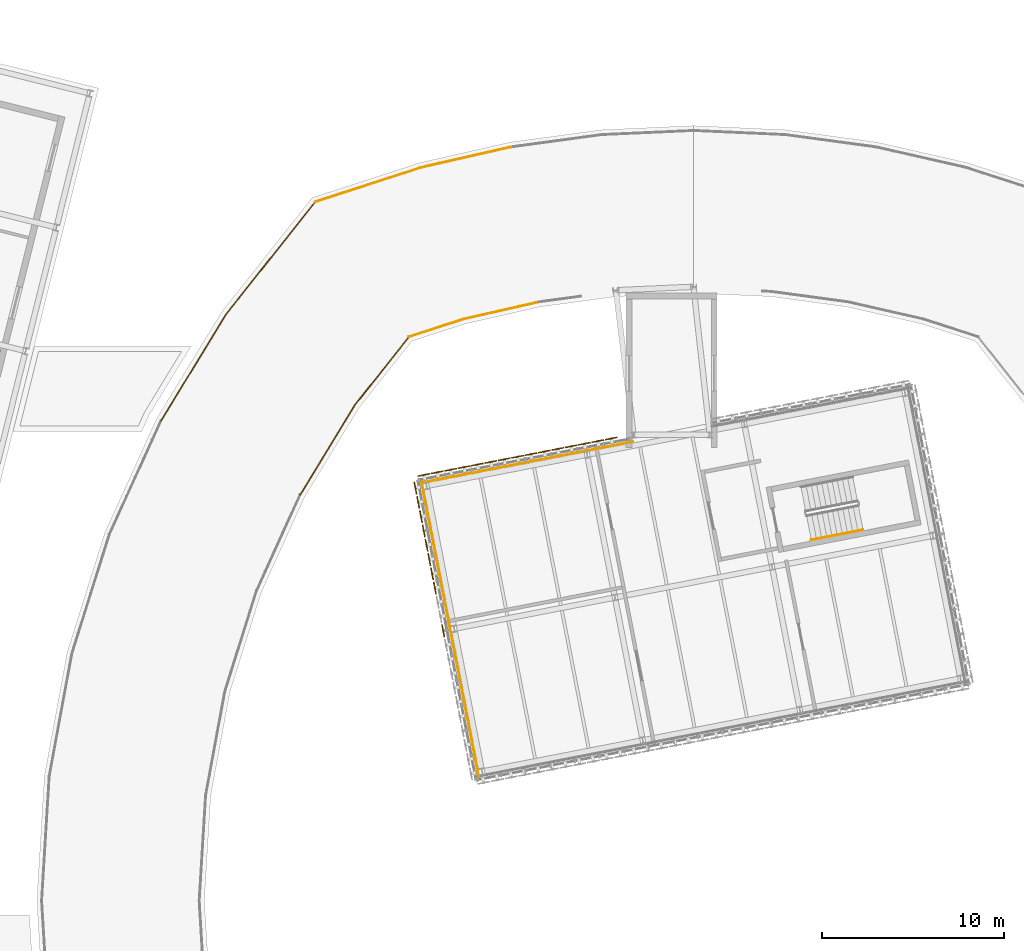
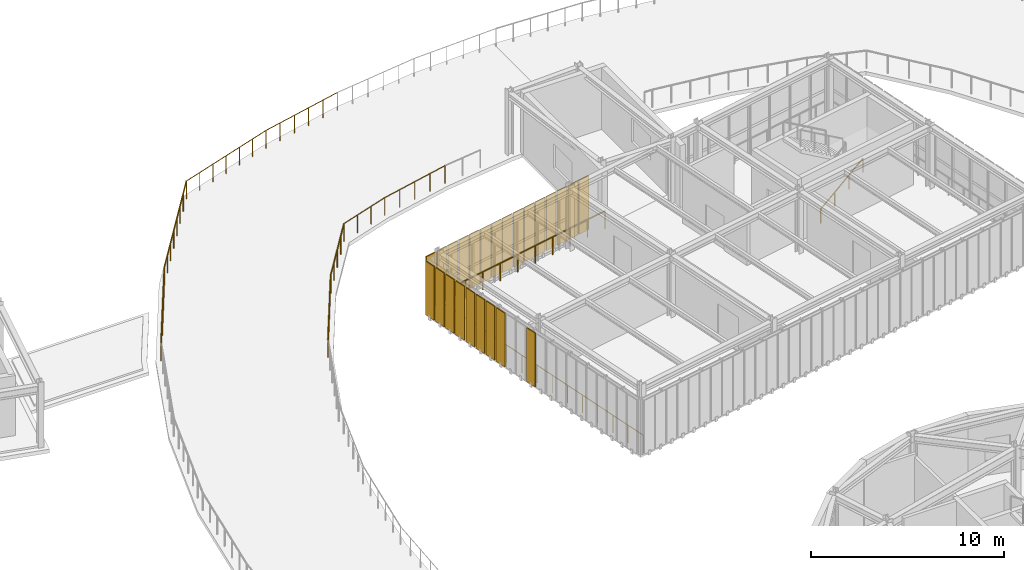
# One storey, part 55 of 59: 24 shading devices, 11 railings.
"""IFC4 building model written with IfcOpenShell, lengths in metres."""

from ifc_helpers import new_model, si_unit, direction, frame, origin, origin_2d, place, context, subcontext, project, spatial, rectangle, circle, extrude, material, layer, layer_set, type_object, element, save


model = new_model("IFC4")

# Units and contexts
model_context = context("Model", 3, precision=1e-05, world=origin(), true_north=direction((0.0, 1.0)))
body_context = subcontext(model_context, "Body", "Model", "MODEL_VIEW")
ifc_project = project(units=[si_unit("LENGTHUNIT", "METRE"), si_unit("AREAUNIT", "SQUARE_METRE"), si_unit("VOLUMEUNIT", "CUBIC_METRE"), si_unit("PLANEANGLEUNIT", "RADIAN"), si_unit("MASSUNIT", "GRAM", prefix="KILO")], contexts=[model_context])

# Site, building, storey
site_placement = place(None, origin())
site = spatial("IfcSite", under=ifc_project, at=site_placement, CompositionType="ELEMENT")
building_placement = place(site_placement, origin())
building = spatial("IfcBuilding", under=site, at=building_placement, Name="Varnklinge Art Gallery", CompositionType="ELEMENT")
storey_placement = place(building_placement, frame((0.0, 0.0, 9.52001953125)))
storey = spatial("IfcBuildingStorey", under=building, at=storey_placement, Name="L02", CompositionType="ELEMENT", Elevation=9.52001953125)

# Railings
ifc_material_1 = material(Name="Anodised Aluminium", Category="aluminium")
railing_type_1 = type_object("IfcRailingType", Name="BAL-01", PredefinedType="BALUSTRADE", material=ifc_material_1)
railing_1_placement = place(storey_placement, frame((72.154296875, 80.223388671875, 0.0)))
element("IfcRailing", 1, at=railing_1_placement, inside=storey, type_object=railing_type_1, Name="BAL-V4B-L02-3-2", PredefinedType="BALUSTRADE", context=body_context, shape_type="SweptSolid", body=[
    extrude(circle(Radius=0.02392578125, at=origin_2d()), frame((0.0, 0.0, 1.11572265625), z_axis=(-0.981629058229, -0.190799350211, 0.0), x_axis=(0.190799350211, -0.981629058229, 0.0)), (0.0, 0.0, 1.0), 11.989501953125),
    extrude(circle(Radius=0.02099609375, at=origin_2d()), origin(), (0.0, 0.0, 1.0), 1.091796875),
    extrude(circle(Radius=0.02099609375, at=origin_2d()), frame((-1.177001953125, -0.228759765625, 0.0)), (0.0, 0.0, 1.0), 1.091796875),
    extrude(circle(Radius=0.02099609375, at=origin_2d()), frame((-2.353759765625, -0.45751953125, 0.0)), (0.0, 0.0, 1.0), 1.091796875),
    extrude(circle(Radius=0.02099609375, at=origin_2d()), frame((-3.53076171875, -0.686279296875, 0.0)), (0.0, 0.0, 1.0), 1.091796875),
    extrude(circle(Radius=0.02099609375, at=origin_2d()), frame((-4.707763671875, -0.9150390625, 0.0)), (0.0, 0.0, 1.0), 1.091796875),
    extrude(circle(Radius=0.02099609375, at=origin_2d()), frame((-5.884765625, -1.143798828125, 0.0)), (0.0, 0.0, 1.0), 1.091796875),
    extrude(circle(Radius=0.02099609375, at=origin_2d()), frame((-7.0615234375, -1.37255859375, 0.0)), (0.0, 0.0, 1.0), 1.091796875),
    extrude(circle(Radius=0.02099609375, at=origin_2d()), frame((-8.238525390625, -1.601318359375, 0.0)), (0.0, 0.0, 1.0), 1.091796875),
    extrude(circle(Radius=0.02099609375, at=origin_2d()), frame((-9.41552734375, -1.830078125, 0.0)), (0.0, 0.0, 1.0), 1.091796875),
    extrude(circle(Radius=0.02099609375, at=origin_2d()), frame((-10.59228515625, -2.058837890625, 0.0)), (0.0, 0.0, 1.0), 1.091796875),
    extrude(circle(Radius=0.02099609375, at=origin_2d()), frame((-11.769287109375, -2.28759765625, 0.0)), (0.0, 0.0, 1.0), 1.091796875),
])
railing_2_placement = place(storey_placement, frame((60.52734375, 78.146728515625, 0.0)))
element("IfcRailing", 2, at=railing_2_placement, inside=storey, type_object=railing_type_1, Name="BAL-V4B-L02-4-1", PredefinedType="BALUSTRADE", context=body_context, shape_type="SweptSolid", body=[
    extrude(circle(Radius=0.02392578125, at=origin_2d()), frame((0.0, 0.0, 1.11572265625), z_axis=(0.19080897967, -0.981627186501, 0.0), x_axis=(0.981627186501, 0.19080897967, 0.0)), (0.0, 0.0, 1.0), 16.7998046875),
    extrude(circle(Radius=0.02099609375, at=origin_2d()), origin(), (0.0, 0.0, 1.0), 1.091796875),
    extrude(circle(Radius=0.02099609375, at=origin_2d()), frame((0.22900390625, -1.177978515625, 0.0)), (0.0, 0.0, 1.0), 1.091796875),
    extrude(circle(Radius=0.02099609375, at=origin_2d()), frame((0.4580078125, -2.35595703125, 0.0)), (0.0, 0.0, 1.0), 1.091796875),
    extrude(circle(Radius=0.02099609375, at=origin_2d()), frame((0.68701171875, -3.533935546875, 0.0)), (0.0, 0.0, 1.0), 1.091796875),
    extrude(circle(Radius=0.02099609375, at=origin_2d()), frame((0.915771484375, -4.711669921875, 0.0)), (0.0, 0.0, 1.0), 1.091796875),
    extrude(circle(Radius=0.02099609375, at=origin_2d()), frame((1.144775390625, -5.8896484375, 0.0)), (0.0, 0.0, 1.0), 1.091796875),
    extrude(circle(Radius=0.02099609375, at=origin_2d()), frame((1.373779296875, -7.067626953125, 0.0)), (0.0, 0.0, 1.0), 1.091796875),
    extrude(circle(Radius=0.02099609375, at=origin_2d()), frame((1.602783203125, -8.24560546875, 0.0)), (0.0, 0.0, 1.0), 1.091796875),
    extrude(circle(Radius=0.02099609375, at=origin_2d()), frame((1.831787109375, -9.423583984375, 0.0)), (0.0, 0.0, 1.0), 1.091796875),
    extrude(circle(Radius=0.02099609375, at=origin_2d()), frame((2.060791015625, -10.6015625, 0.0)), (0.0, 0.0, 1.0), 1.091796875),
    extrude(circle(Radius=0.02099609375, at=origin_2d()), frame((2.289794921875, -11.779541015625, 0.0)), (0.0, 0.0, 1.0), 1.091796875),
    extrude(circle(Radius=0.02099609375, at=origin_2d()), frame((2.5185546875, -12.957275390625, 0.0)), (0.0, 0.0, 1.0), 1.091796875),
    extrude(circle(Radius=0.02099609375, at=origin_2d()), frame((2.74755859375, -14.13525390625, 0.0)), (0.0, 0.0, 1.0), 1.091796875),
    extrude(circle(Radius=0.02099609375, at=origin_2d()), frame((2.9765625, -15.313232421875, 0.0)), (0.0, 0.0, 1.0), 1.091796875),
    extrude(circle(Radius=0.02099609375, at=origin_2d()), frame((3.20556640625, -16.4912109375, 0.0)), (0.0, 0.0, 1.0), 1.091796875),
])
ifc_material_2 = material(Name="Steel S355", Category="steel")
railing_type_2 = type_object("IfcRailingType", Name="GR-EXT", PredefinedType="GUARDRAIL", material=ifc_material_2)
railing_3_placement = place(storey_placement, frame((65.466796875, 96.427490234375, 0.0)))
element("IfcRailing", 3, at=railing_3_placement, inside=storey, type_object=railing_type_2, Name="L02 Roof Sculpture Garden Guardrail O19.1", PredefinedType="GUARDRAIL", context=body_context, shape_type="SweptSolid", body=[
    extrude(circle(Radius=0.02392578125, at=origin_2d()), frame((0.0, 0.0, 1.1259765625), z_axis=(-0.975052879575, -0.221972705601, 0.0), x_axis=(0.221972705601, -0.975052879575, 0.0)), (0.0, 0.0, 1.0), 5.041748046875),
    extrude(circle(Radius=0.02099609375, at=origin_2d()), origin(), (0.0, 0.0, 1.0), 1.101806640625),
    extrude(circle(Radius=0.02099609375, at=origin_2d()), frame((-0.983154296875, -0.223876953125, 0.0)), (0.0, 0.0, 1.0), 1.101806640625),
    extrude(circle(Radius=0.02099609375, at=origin_2d()), frame((-1.96630859375, -0.44775390625, 0.0)), (0.0, 0.0, 1.0), 1.101806640625),
    extrude(circle(Radius=0.02099609375, at=origin_2d()), frame((-2.94970703125, -0.67138671875, 0.0)), (0.0, 0.0, 1.0), 1.101806640625),
    extrude(circle(Radius=0.02099609375, at=origin_2d()), frame((-3.932861328125, -0.895263671875, 0.0)), (0.0, 0.0, 1.0), 1.101806640625),
    extrude(circle(Radius=0.02099609375, at=origin_2d()), frame((-4.916015625, -1.119140625, 0.0)), (0.0, 0.0, 1.0), 1.101806640625),
])
railing_4_placement = place(storey_placement, frame((67.0087890625, 87.9091796875, 0.0)))
element("IfcRailing", 4, at=railing_4_placement, inside=storey, type_object=railing_type_2, Name="L02 Roof Sculpture Garden Guardrail I19.1", PredefinedType="GUARDRAIL", context=body_context, shape_type="SweptSolid", body=[
    extrude(circle(Radius=0.02392578125, at=origin_2d()), frame((0.0, 0.0, 1.1259765625), z_axis=(-0.975060863932, -0.221937630043, 0.0), x_axis=(0.221937630043, -0.975060863932, 0.0)), (0.0, 0.0, 1.0), 4.26708984375),
    extrude(circle(Radius=0.02099609375, at=origin_2d()), origin(), (0.0, 0.0, 1.0), 1.101806640625),
    extrude(circle(Radius=0.02099609375, at=origin_2d()), frame((-1.0400390625, -0.23681640625, 0.0)), (0.0, 0.0, 1.0), 1.101806640625),
    extrude(circle(Radius=0.02099609375, at=origin_2d()), frame((-2.080322265625, -0.4736328125, 0.0)), (0.0, 0.0, 1.0), 1.101806640625),
    extrude(circle(Radius=0.02099609375, at=origin_2d()), frame((-3.12060546875, -0.710205078125, 0.0)), (0.0, 0.0, 1.0), 1.101806640625),
    extrude(circle(Radius=0.02099609375, at=origin_2d()), frame((-4.16064453125, -0.947021484375, 0.0)), (0.0, 0.0, 1.0), 1.101806640625),
])
railing_5_placement = place(storey_placement, frame((60.55078125, 95.308349609375, 0.0)))
element("IfcRailing", 5, at=railing_5_placement, inside=storey, type_object=railing_type_2, Name="L02 Roof Sculpture Garden Guardrail O20.1", PredefinedType="GUARDRAIL", context=body_context, shape_type="SweptSolid", body=[
    extrude(circle(Radius=0.02392578125, at=origin_2d()), frame((0.0, 0.0, 1.1259765625), z_axis=(-0.951298900476, -0.308270014685, 0.0), x_axis=(0.308270014685, -0.951298900476, 0.0)), (0.0, 0.0, 1.0), 6.15673828125),
    extrude(circle(Radius=0.02099609375, at=origin_2d()), origin(), (0.0, 0.0, 1.0), 1.101806640625),
    extrude(circle(Radius=0.02099609375, at=origin_2d()), frame((-0.97607421875, -0.31640625, 0.0)), (0.0, 0.0, 1.0), 1.101806640625),
    extrude(circle(Radius=0.02099609375, at=origin_2d()), frame((-1.952392578125, -0.632568359375, 0.0)), (0.0, 0.0, 1.0), 1.101806640625),
    extrude(circle(Radius=0.02099609375, at=origin_2d()), frame((-2.928466796875, -0.948974609375, 0.0)), (0.0, 0.0, 1.0), 1.101806640625),
    extrude(circle(Radius=0.02099609375, at=origin_2d()), frame((-3.904541015625, -1.265380859375, 0.0)), (0.0, 0.0, 1.0), 1.101806640625),
    extrude(circle(Radius=0.02099609375, at=origin_2d()), frame((-4.880859375, -1.58154296875, 0.0)), (0.0, 0.0, 1.0), 1.101806640625),
    extrude(circle(Radius=0.02099609375, at=origin_2d()), frame((-5.85693359375, -1.89794921875, 0.0)), (0.0, 0.0, 1.0), 1.101806640625),
])
railing_6_placement = place(storey_placement, frame((62.84814453125, 86.962158203125, 0.0)))
element("IfcRailing", 6, at=railing_6_placement, inside=storey, type_object=railing_type_2, Name="L02 Roof Sculpture Garden Guardrail I20.1", PredefinedType="GUARDRAIL", context=body_context, shape_type="SweptSolid", body=[
    extrude(circle(Radius=0.02392578125, at=origin_2d()), frame((0.0, 0.0, 1.1259765625), z_axis=(-0.951298964859, -0.308269816002, 0.0), x_axis=(0.308269816002, -0.951298964859, 0.0)), (0.0, 0.0, 1.0), 3.152099609375),
    extrude(circle(Radius=0.02099609375, at=origin_2d()), origin(), (0.0, 0.0, 1.0), 1.101806640625),
    extrude(circle(Radius=0.02099609375, at=origin_2d()), frame((-0.99951171875, -0.323974609375, 0.0)), (0.0, 0.0, 1.0), 1.101806640625),
    extrude(circle(Radius=0.02099609375, at=origin_2d()), frame((-1.9990234375, -0.647705078125, 0.0)), (0.0, 0.0, 1.0), 1.101806640625),
    extrude(circle(Radius=0.02099609375, at=origin_2d()), frame((-2.99853515625, -0.9716796875, 0.0)), (0.0, 0.0, 1.0), 1.101806640625),
])
railing_7_placement = place(storey_placement, frame((54.69384765625, 93.410400390625, 0.0)))
element("IfcRailing", 7, at=railing_7_placement, inside=storey, type_object=railing_type_2, Name="L02 Roof Sculpture Garden Guardrail O21.1", PredefinedType="GUARDRAIL", context=body_context, shape_type="SweptSolid", body=[
    extrude(circle(Radius=0.02392578125, at=origin_2d()), frame((0.0, 0.0, 1.1259765625), z_axis=(-0.620763892495, -0.783997570006, 0.0), x_axis=(0.783997570006, -0.620763892495, 0.0)), (0.0, 0.0, 1.0), 7.900146484375),
    extrude(circle(Radius=0.02099609375, at=origin_2d()), origin(), (0.0, 0.0, 1.0), 1.101806640625),
    extrude(circle(Radius=0.02099609375, at=origin_2d()), frame((-0.70068359375, -0.884765625, 0.0)), (0.0, 0.0, 1.0), 1.101806640625),
    extrude(circle(Radius=0.02099609375, at=origin_2d()), frame((-1.401123046875, -1.76953125, 0.0)), (0.0, 0.0, 1.0), 1.101806640625),
    extrude(circle(Radius=0.02099609375, at=origin_2d()), frame((-2.101806640625, -2.654296875, 0.0)), (0.0, 0.0, 1.0), 1.101806640625),
    extrude(circle(Radius=0.02099609375, at=origin_2d()), frame((-2.80224609375, -3.539306640625, 0.0)), (0.0, 0.0, 1.0), 1.101806640625),
    extrude(circle(Radius=0.02099609375, at=origin_2d()), frame((-3.5029296875, -4.424072265625, 0.0)), (0.0, 0.0, 1.0), 1.101806640625),
    extrude(circle(Radius=0.02099609375, at=origin_2d()), frame((-4.203369140625, -5.308837890625, 0.0)), (0.0, 0.0, 1.0), 1.101806640625),
    extrude(circle(Radius=0.02099609375, at=origin_2d()), frame((-4.904052734375, -6.193603515625, 0.0)), (0.0, 0.0, 1.0), 1.101806640625),
])
railing_8_placement = place(storey_placement, frame((59.849609375, 85.990478515625, 0.0)))
element("IfcRailing", 8, at=railing_8_placement, inside=storey, type_object=railing_type_2, Name="L02 Roof Sculpture Garden Guardrail I21.1", PredefinedType="GUARDRAIL", context=body_context, shape_type="SweptSolid", body=[
    extrude(circle(Radius=0.02392578125, at=origin_2d()), frame((0.0, 0.0, 1.1259765625), z_axis=(-0.620762109021, -0.783998982145, 0.0), x_axis=(0.783998982145, -0.620762109021, 0.0)), (0.0, 0.0, 1.0), 4.756103515625),
    extrude(circle(Radius=0.02099609375, at=origin_2d()), origin(), (0.0, 0.0, 1.0), 1.101806640625),
    extrude(circle(Radius=0.02099609375, at=origin_2d()), frame((-0.738037109375, -0.93212890625, 0.0)), (0.0, 0.0, 1.0), 1.101806640625),
    extrude(circle(Radius=0.02099609375, at=origin_2d()), frame((-1.47607421875, -1.8642578125, 0.0)), (0.0, 0.0, 1.0), 1.101806640625),
    extrude(circle(Radius=0.02099609375, at=origin_2d()), frame((-2.21435546875, -2.796630859375, 0.0)), (0.0, 0.0, 1.0), 1.101806640625),
    extrude(circle(Radius=0.02099609375, at=origin_2d()), frame((-2.952392578125, -3.728759765625, 0.0)), (0.0, 0.0, 1.0), 1.101806640625),
])
railing_9_placement = place(storey_placement, frame((49.789794921875, 87.216796875, 0.0)))
element("IfcRailing", 9, at=railing_9_placement, inside=storey, type_object=railing_type_2, Name="L02 Roof Sculpture Garden Guardrail O22.1", PredefinedType="GUARDRAIL", context=body_context, shape_type="SweptSolid", body=[
    extrude(circle(Radius=0.02392578125, at=origin_2d()), frame((0.0, 0.0, 1.1259765625), z_axis=(-0.520918310776, -0.853606533186, 0.0), x_axis=(0.853606533186, -0.520918310776, 0.0)), (0.0, 0.0, 1.0), 6.854736328125),
    extrude(circle(Radius=0.02099609375, at=origin_2d()), origin(), (0.0, 0.0, 1.0), 1.101806640625),
    extrude(circle(Radius=0.02099609375, at=origin_2d()), frame((-0.59521484375, -0.97509765625, 0.0)), (0.0, 0.0, 1.0), 1.101806640625),
    extrude(circle(Radius=0.02099609375, at=origin_2d()), frame((-1.190185546875, -1.950439453125, 0.0)), (0.0, 0.0, 1.0), 1.101806640625),
    extrude(circle(Radius=0.02099609375, at=origin_2d()), frame((-1.785400390625, -2.92578125, 0.0)), (0.0, 0.0, 1.0), 1.101806640625),
    extrude(circle(Radius=0.02099609375, at=origin_2d()), frame((-2.380615234375, -3.90087890625, 0.0)), (0.0, 0.0, 1.0), 1.101806640625),
    extrude(circle(Radius=0.02099609375, at=origin_2d()), frame((-2.9755859375, -4.8759765625, 0.0)), (0.0, 0.0, 1.0), 1.101806640625),
    extrude(circle(Radius=0.02099609375, at=origin_2d()), frame((-3.57080078125, -5.851318359375, 0.0)), (0.0, 0.0, 1.0), 1.101806640625),
])
railing_10_placement = place(storey_placement, frame((56.897216796875, 82.26171875, 0.0)))
element("IfcRailing", 10, at=railing_10_placement, inside=storey, type_object=railing_type_2, Name="L02 Roof Sculpture Garden Guardrail I22.1", PredefinedType="GUARDRAIL", context=body_context, shape_type="SweptSolid", body=[
    extrude(circle(Radius=0.02392578125, at=origin_2d()), frame((0.0, 0.0, 1.1259765625), z_axis=(-0.52096132854, -0.85358027986, 0.0), x_axis=(0.85358027986, -0.52096132854, 0.0)), (0.0, 0.0, 1.0), 5.80078125),
    extrude(circle(Radius=0.02099609375, at=origin_2d()), origin(), (0.0, 0.0, 1.0), 1.101806640625),
    extrude(circle(Radius=0.02099609375, at=origin_2d()), frame((-0.6044921875, -0.990234375, 0.0)), (0.0, 0.0, 1.0), 1.101806640625),
    extrude(circle(Radius=0.02099609375, at=origin_2d()), frame((-1.208740234375, -1.98046875, 0.0)), (0.0, 0.0, 1.0), 1.101806640625),
    extrude(circle(Radius=0.02099609375, at=origin_2d()), frame((-1.813232421875, -2.970947265625, 0.0)), (0.0, 0.0, 1.0), 1.101806640625),
    extrude(circle(Radius=0.02099609375, at=origin_2d()), frame((-2.41748046875, -3.961181640625, 0.0)), (0.0, 0.0, 1.0), 1.101806640625),
    extrude(circle(Radius=0.02099609375, at=origin_2d()), frame((-3.02197265625, -4.951416015625, 0.0)), (0.0, 0.0, 1.0), 1.101806640625),
])
ifc_material_3 = material(Name="Steel S355", Category="steel")
railing_type_3 = type_object("IfcRailingType", Name="HR-01", PredefinedType="HANDRAIL", material=ifc_material_3)
railing_11_placement = place(storey_placement, frame((81.974609375, 74.828125, 0.18896484375)))
element("IfcRailing", 11, at=railing_11_placement, inside=storey, type_object=railing_type_3, Name="L02 ST-10 stair handrail 1", PredefinedType="HANDRAIL", context=body_context, shape_type="SweptSolid", body=[
    extrude(circle(Radius=0.02392578125, at=origin_2d()), frame((0.0, 0.0, 0.8759765625), z_axis=(0.822237872922, 0.159863915773, 0.546231094653), x_axis=(-0.190851632439, 0.981618894681, 0.0)), (0.0, 0.0, 1.0), 3.462158203125),
    extrude(circle(Radius=0.02099609375, at=origin_2d()), origin(), (0.0, 0.0, 1.0), 0.851806640625),
    extrude(circle(Radius=0.02099609375, at=origin_2d()), frame((0.948974609375, 0.1845703125, 0.63037109375)), (0.0, 0.0, 1.0), 0.851806640625),
    extrude(circle(Radius=0.02099609375, at=origin_2d()), frame((1.897705078125, 0.368896484375, 1.2607421875)), (0.0, 0.0, 1.0), 0.851806640625),
    extrude(circle(Radius=0.02099609375, at=origin_2d()), frame((2.8466796875, 0.553466796875, 1.89111328125)), (0.0, 0.0, 1.0), 0.851806640625),
])

# Shading devices
ifc_material_4 = material(Name="Perforated Aluminium-Precast Lattice", Category="concrete")
ifc_layer = layer(ifc_material_4, 0.06005859375)
ifc_layer_set = layer_set([ifc_layer], Name="Perforated Aluminium-Precast Lattice")
shading_device_type = type_object("IfcShadingDeviceType", Name="SHD-LAT", PredefinedType="USERDEFINED", material=ifc_layer_set)
for number, where, z_axis, x_axis, name in (
    (12, (70.974609375, 80.401611328125, 0.10009765625), (0.0, 0.0, 1.0), (-0.981627183448, -0.190808995377, 0.0), "L02 Perforated Lattice Screen 3.1.2"),
    (13, (70.239013671875, 80.2587890625, 0.10009765625), (0.0, 0.0, 1.0), (-0.981627183448, -0.190808995377, 0.0), "L02 Perforated Lattice Screen 3.1.3"),
    (14, (69.50341796875, 80.11572265625, 0.10009765625), (0.0, 0.0, 1.0), (-0.981627183448, -0.190808995377, 0.0), "L02 Perforated Lattice Screen 3.1.4"),
    (15, (68.767822265625, 79.97265625, 0.10009765625), (0.0, 0.0, 1.0), (-0.981627183448, -0.190808995377, 0.0), "L02 Perforated Lattice Screen 3.1.5"),
    (16, (68.0322265625, 79.829833984375, 0.10009765625), (0.0, 0.0, 1.0), (-0.981627183448, -0.190808995377, 0.0), "L02 Perforated Lattice Screen 3.1.6"),
    (17, (67.296630859375, 79.686767578125, 0.10009765625), (0.0, 0.0, 1.0), (-0.981627183448, -0.190808995377, 0.0), "L02 Perforated Lattice Screen 3.1.7"),
    (18, (66.561279296875, 79.543701171875, 0.10009765625), (0.0, 0.0, 1.0), (-0.981627183448, -0.190808995377, 0.0), "L02 Perforated Lattice Screen 3.1.8"),
    (19, (65.82568359375, 79.40087890625, 0.10009765625), (0.0, 0.0, 1.0), (-0.981627183448, -0.190808995377, 0.0), "L02 Perforated Lattice Screen 3.2.1"),
    (20, (65.090087890625, 79.2578125, 0.10009765625), (0.0, 0.0, 1.0), (-0.981627183448, -0.190808995377, 0.0), "L02 Perforated Lattice Screen 3.2.2"),
    (21, (64.3544921875, 79.114990234375, 0.10009765625), (0.0, 0.0, 1.0), (-0.981627183448, -0.190808995377, 0.0), "L02 Perforated Lattice Screen 3.2.3"),
    (22, (63.618896484375, 78.971923828125, 0.10009765625), (0.0, 0.0, 1.0), (-0.981627183448, -0.190808995377, 0.0), "L02 Perforated Lattice Screen 3.2.4"),
    (23, (62.88330078125, 78.828857421875, 0.10009765625), (0.0, 0.0, 1.0), (-0.981627183448, -0.190808995377, 0.0), "L02 Perforated Lattice Screen 3.2.5"),
    (24, (62.147705078125, 78.685791015625, 0.10009765625), (0.0, 0.0, 1.0), (-0.981627183448, -0.190808995377, 0.0), "L02 Perforated Lattice Screen 3.2.6"),
    (25, (61.412109375, 78.54296875, 0.10009765625), (0.0, 0.0, 1.0), (-0.981627183448, -0.190808995377, 0.0), "L02 Perforated Lattice Screen 3.2.7"),
    (26, (60.676513671875, 78.39990234375, 0.10009765625), (0.0, 0.0, 1.0), (-0.981627183448, -0.190808995377, 0.0), "L02 Perforated Lattice Screen 3.2.8"),
    (27, (60.211181640625, 77.677978515625, 0.10009765625), (0.0, 0.0, 1.0), (0.190808995377, -0.981627183448, 0.0), "L02 Perforated Lattice Screen 4.1.1"),
    (28, (60.36376953125, 76.892578125, 0.10009765625), (0.0, 0.0, 1.0), (0.190808995377, -0.981627183448, 0.0), "L02 Perforated Lattice Screen 4.1.2"),
    (29, (60.516357421875, 76.107421875, 0.10009765625), (0.0, 0.0, 1.0), (0.190808995377, -0.981627183448, 0.0), "L02 Perforated Lattice Screen 4.1.3"),
    (30, (60.6689453125, 75.322021484375, 0.10009765625), (0.0, 0.0, 1.0), (0.190808995377, -0.981627183448, 0.0), "L02 Perforated Lattice Screen 4.1.4"),
    (31, (60.82177734375, 74.53662109375, 0.10009765625), (0.0, 0.0, 1.0), (0.190808995377, -0.981627183448, 0.0), "L02 Perforated Lattice Screen 4.1.5"),
    (32, (60.974365234375, 73.75146484375, 0.10009765625), (0.0, 0.0, 1.0), (0.190808995377, -0.981627183448, 0.0), "L02 Perforated Lattice Screen 4.1.6"),
    (33, (61.126953125, 72.966064453125, 0.10009765625), (0.0, 0.0, 1.0), (0.190808995377, -0.981627183448, 0.0), "L02 Perforated Lattice Screen 4.1.7"),
    (34, (61.279541015625, 72.180908203125, 0.10009765625), (0.0, 0.0, 1.0), (0.190808995377, -0.981627183448, 0.0), "L02 Perforated Lattice Screen 4.2.1"),
    (35, (61.737548828125, 69.824951171875, 0.10009765625), (0.0, 0.0, 1.0), (0.190808995377, -0.981627183448, 0.0), "L02 Perforated Lattice Screen 4.2.4"),
):
    element("IfcShadingDevice", number, at=place(storey_placement, frame(where, z_axis=z_axis, x_axis=x_axis)), inside=storey, type_object=shading_device_type, Name=name, ObjectType="LATTICE SCREEN", PredefinedType="USERDEFINED", context=body_context, shape_type="SweptSolid", body=[
        extrude(rectangle(XDim=0.679931640625, YDim=0.06005859375, at=origin_2d()), origin(), (0.0, 0.0, 1.0), 3.409912109375),
    ])

save(model, "model.ifc")
